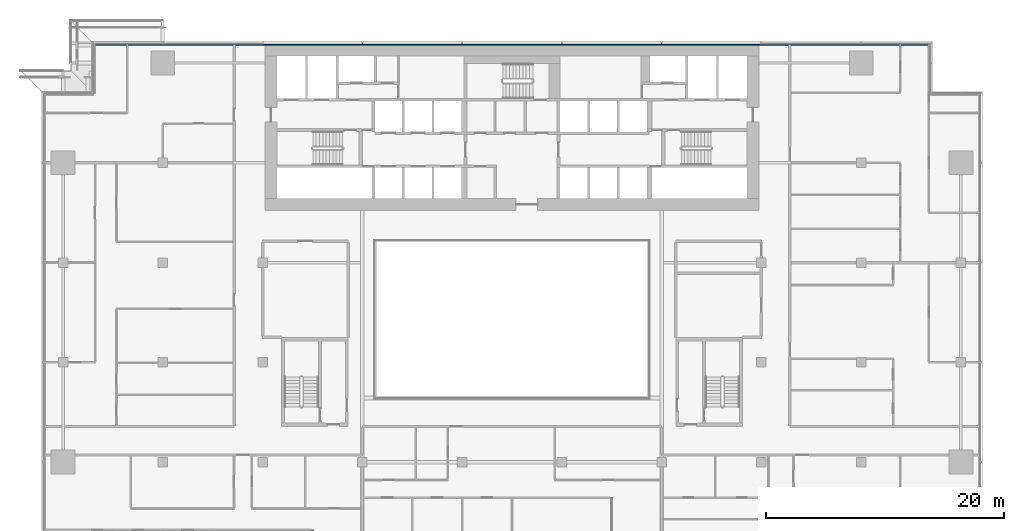
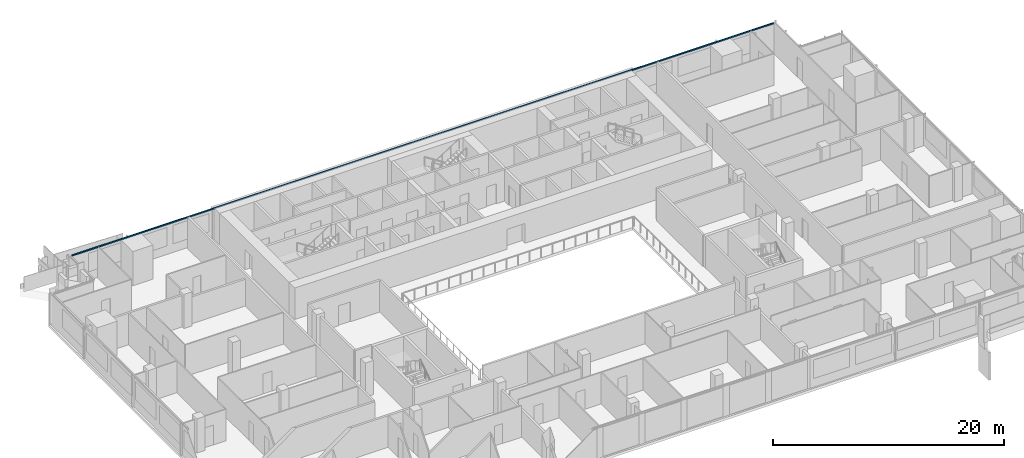
# One storey, part 11 of 30: 1 member, 1 element without a shape of its own.
"""IFC4 building model written with IfcOpenShell, lengths in metres."""

from ifc_helpers import new_model, si_unit, direction, frame, origin, origin_2d, place, context, subcontext, project, spatial, rectangle, extrude, material, material_profile, profile_set, type_object, element, aggregate, save


model = new_model("IFC4")

# Units and contexts
model_context = context("Model", 3, precision=1e-05, world=origin(), true_north=direction((0.0, 1.0)))
body_context = subcontext(model_context, "Body", "Model", "MODEL_VIEW")
ifc_project = project(units=[si_unit("LENGTHUNIT", "METRE"), si_unit("AREAUNIT", "SQUARE_METRE"), si_unit("VOLUMEUNIT", "CUBIC_METRE"), si_unit("PLANEANGLEUNIT", "RADIAN"), si_unit("MASSUNIT", "GRAM", prefix="KILO")], contexts=[model_context])

# Site, building, storey
site_placement = place(None, origin())
site = spatial("IfcSite", under=ifc_project, at=site_placement, CompositionType="ELEMENT")
building_placement = place(site_placement, origin())
building = spatial("IfcBuilding", under=site, at=building_placement, Name="Saffron Gate Tower", CompositionType="ELEMENT")
storey_placement = place(building_placement, frame((0.0, 0.0, 127.64990234375)))
storey = spatial("IfcBuildingStorey", under=building, at=storey_placement, Name="L30", CompositionType="ELEMENT", Elevation=127.64990234375)

# Curtain wall, member
ifc_material = material(Name="Aluminium, bronze anodised", Category="aluminium")
curtain_wall_type = type_object("IfcCurtainWallType", Name="CWS3 curtain wall rear facade", PredefinedType="NOTDEFINED", material=ifc_material)
curtain_wall_placement = place(storey_placement, origin())
curtain_wall = element("IfcCurtainWall", 1, at=curtain_wall_placement, inside=storey, type_object=curtain_wall_type, Name="CWS3 run 7", PredefinedType="NOTDEFINED")
ifc_material_profile = material_profile(ifc_material, rectangle(XDim=0.1201171875, YDim=0.1201171875, at=origin_2d()))
ifc_profile_set = profile_set([ifc_material_profile], Name="Aluminium, bronze anodised")
member_type = type_object("IfcMemberType", Name="CWS3 head transom", PredefinedType="USERDEFINED", material=ifc_profile_set)
member_placement = place(storey_placement, frame((122.632080078125, 75.35205078125, 3.260009765625), z_axis=(-1.0, 0.0, 0.0), x_axis=(0.0, -1.0, 0.0)))
member = element("IfcMember", 2, at=member_placement, type_object=member_type, Name="CWS3 head transom", ObjectType="TRANSOM", PredefinedType="USERDEFINED", context=body_context, shape_type="SweptSolid", body=[
    extrude(rectangle(XDim=0.1201171875, YDim=0.1201171875, at=origin_2d()), origin(), (0.0, 0.0, 1.0), 70.06396484375),
])
aggregate(curtain_wall, [member])

save(model, "model.ifc")
